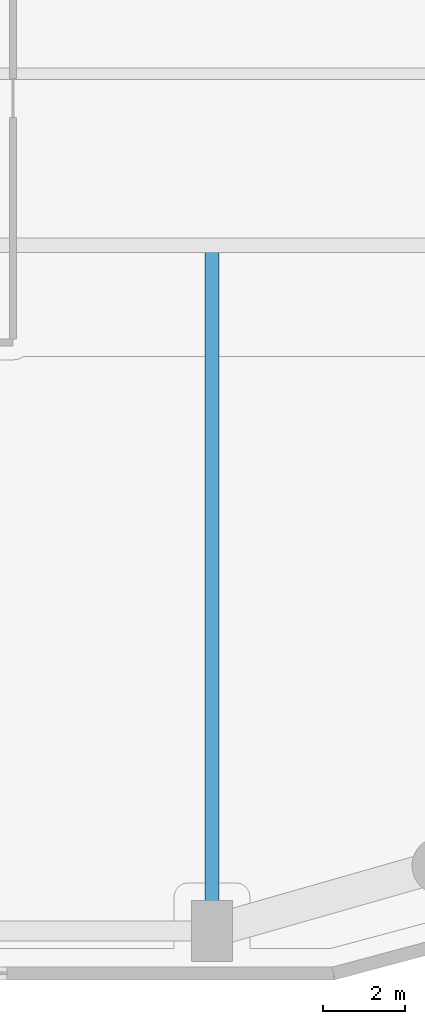
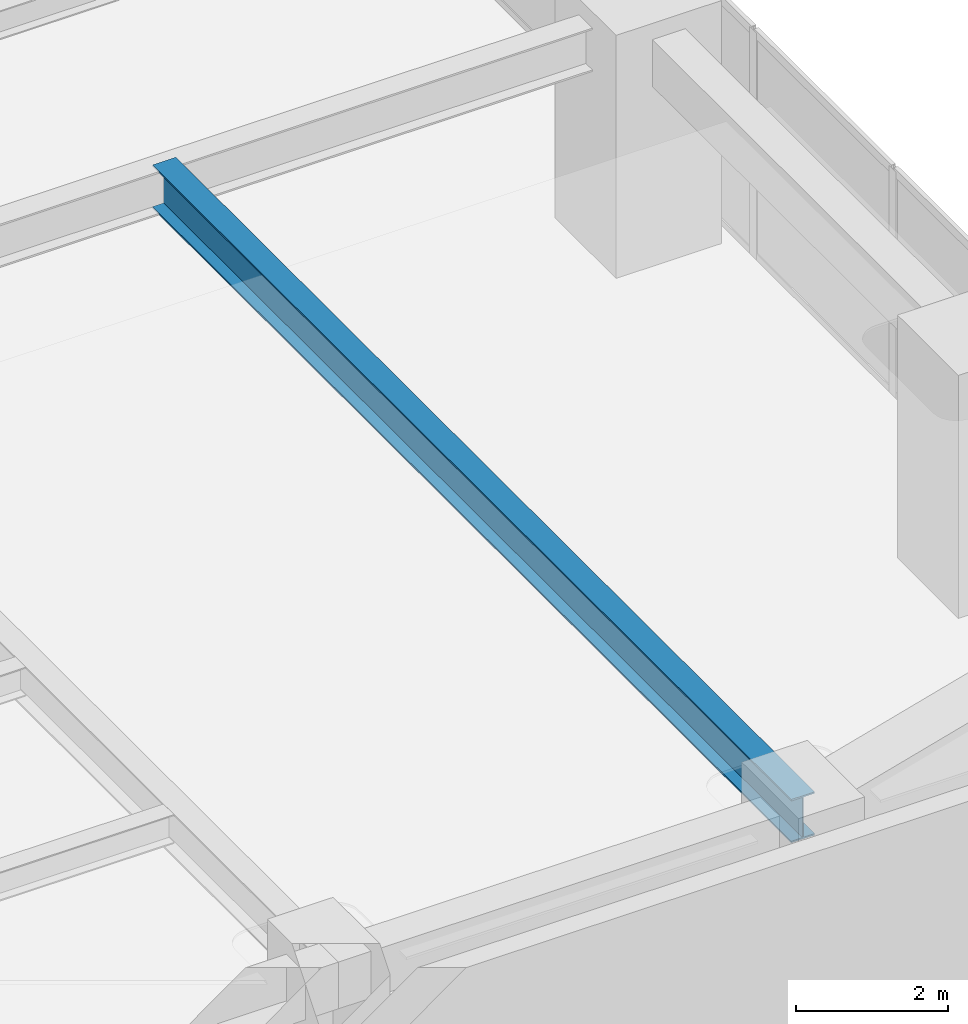
# One storey, part 5 of 28: 1 beam.
"""IFC4 building model written with IfcOpenShell, lengths in metres."""

from ifc_helpers import new_model, si_unit, direction, frame, origin, origin_2d, place, context, subcontext, project, spatial, i_section, extrude, material, material_profile, profile_set, type_object, element, save


model = new_model("IFC4")

# Units and contexts
model_context = context("Model", 3, precision=1e-05, world=origin(), true_north=direction((0.0, 1.0)))
body_context = subcontext(model_context, "Body", "Model", "MODEL_VIEW")
ifc_project = project(units=[si_unit("LENGTHUNIT", "METRE"), si_unit("AREAUNIT", "SQUARE_METRE"), si_unit("VOLUMEUNIT", "CUBIC_METRE"), si_unit("PLANEANGLEUNIT", "RADIAN"), si_unit("MASSUNIT", "GRAM", prefix="KILO")], contexts=[model_context])

# Site, building, storey
site_placement = place(None, origin())
site = spatial("IfcSite", under=ifc_project, at=site_placement, CompositionType="ELEMENT")
building_placement = place(site_placement, origin())
building = spatial("IfcBuilding", under=site, at=building_placement, Name="Kiyonajd Concourse Tower", CompositionType="ELEMENT")
storey_placement = place(building_placement, frame((0.0, 0.0, 37.199951171875)))
storey = spatial("IfcBuildingStorey", under=building, at=storey_placement, Name="L10", CompositionType="ELEMENT", Elevation=37.199951171875)

# Beam
ifc_material = material(Name="Steel ASTM A992 Grade 50", Category="steel")
ifc_material_profile = material_profile(ifc_material, i_section(OverallWidth=0.35498046875, OverallDepth=0.695068359375, WebThickness=0.015380859375, FlangeThickness=0.02490234375, at=origin_2d()), Name="W690X217")
ifc_profile_set = profile_set([ifc_material_profile], Name="Steel ASTM A992 Grade 50")
beam_type = type_object("IfcBeamType", Name="BM-TWR-690", PredefinedType="BEAM", material=ifc_profile_set)
beam_placement = place(storey_placement, frame((70.800048828125, 10.800048828125, 3.29248046875), z_axis=(0.0, 1.0, 0.0), x_axis=(-1.0, 0.0, 0.0)))
element("IfcBeam", 1, at=beam_placement, inside=storey, type_object=beam_type, Name="L10 South Lease Girder", PredefinedType="BEAM", context=body_context, shape_type="SweptSolid", body=[
    extrude(i_section(OverallWidth=0.35498046875, OverallDepth=0.695068359375, WebThickness=0.015380859375, FlangeThickness=0.02490234375, at=origin_2d()), origin(), (0.0, 0.0, 1.0), 16.800048828125),
])

save(model, "model.ifc")
